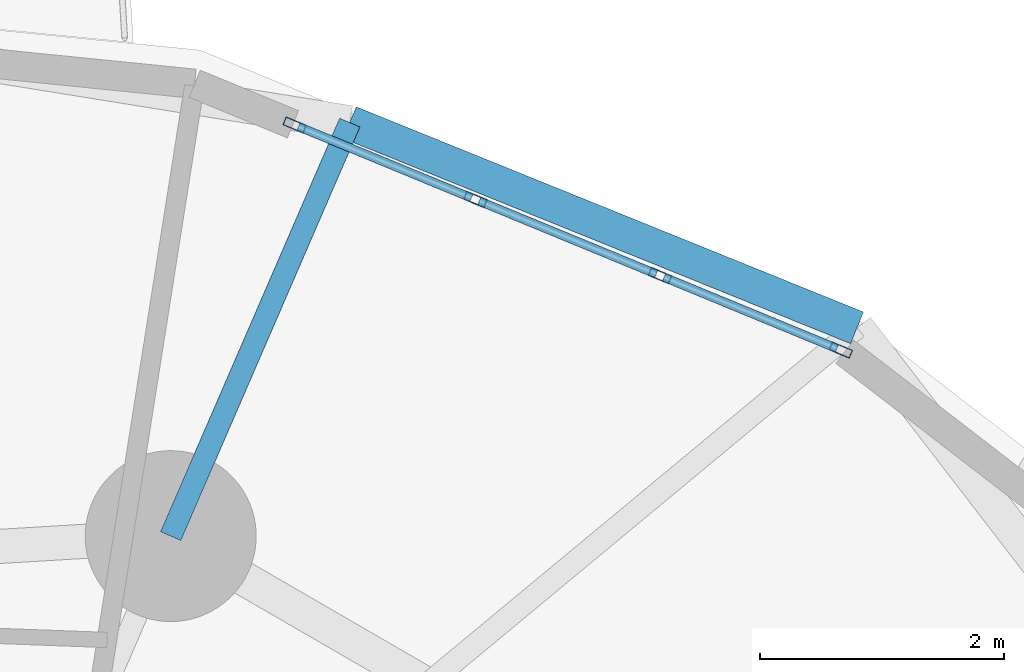
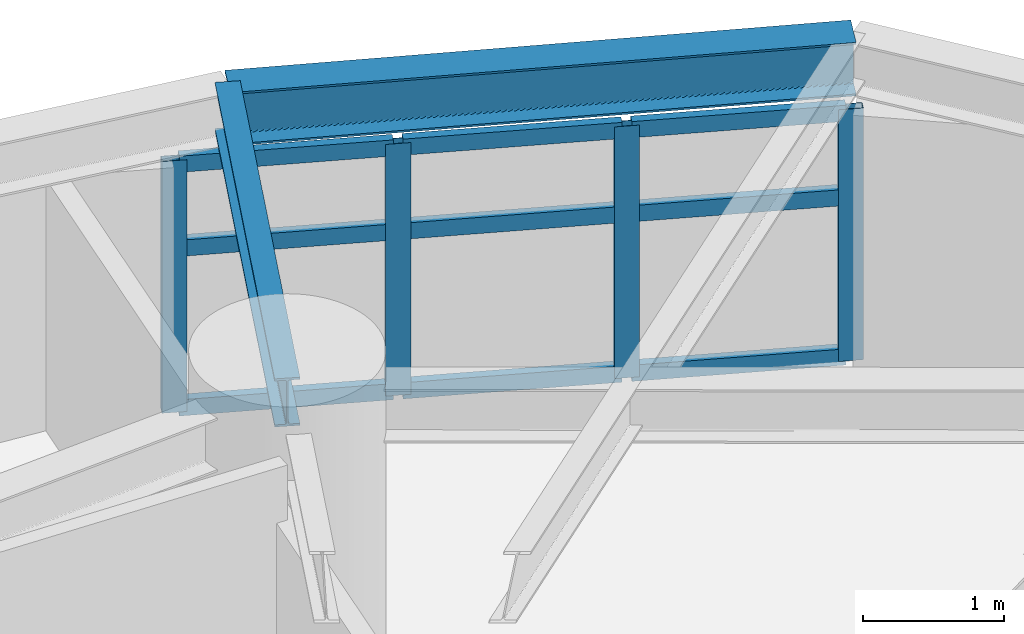
# One storey, part 6 of 18: 13 members, 2 beams, 1 element without a shape of its own.
"""IFC4 building model written with IfcOpenShell, lengths in metres."""

import ifcopenshell
import ifcopenshell.guid

model = None  # the IFC model being written
_history = None  # IfcOwnerHistory: only IFC2X3 demands one
_inside = {}  # id of a spatial element -> (the spatial element, [elements in it])
_under = {}  # id of a project, library or spatial element -> (it, [spatial elements below it])
_declared = {}  # id of a project -> (the project, [libraries it declares])
_typed = {}  # id of a type object -> (the type object, [elements of that type])
_made_of = {}  # id of a material, layer set ... -> (it, [elements and type objects made of it])


def new_model(schema):
    """Start an empty IFC model of exactly this schema.

    Asked for "IFC4X3", IfcOpenShell would pick the latest addendum, in which some entities
    have other attributes; the version numbers below select the first issue.
    IFC2X3 requires an IfcOwnerHistory on every rooted entity: one is made here for all.
    """
    global model, _history
    if schema == "IFC4X3":
        model = ifcopenshell.file(schema_version=(4, 3, 0, 0))
    else:
        model = ifcopenshell.file(schema=schema)
    _inside.clear()
    _under.clear()
    _declared.clear()
    _typed.clear()
    _made_of.clear()
    _history = None
    if model.schema == "IFC2X3":
        org = make("IfcOrganization", Name="unknown")
        user = make(
            "IfcPersonAndOrganization",
            ThePerson=make("IfcPerson", FamilyName="unknown"),
            TheOrganization=org,
        )
        app = make(
            "IfcApplication",
            ApplicationDeveloper=org,
            Version="unknown",
            ApplicationFullName="unknown",
            ApplicationIdentifier="unknown",
        )
        _history = make(
            "IfcOwnerHistory",
            OwningUser=user,
            OwningApplication=app,
            ChangeAction="ADDED",
            CreationDate=0,
        )
    return model


def make(cls, **values):
    """One entity of the class cls with the attributes given. An attribute that is None is left unset."""
    return model.create_entity(
        cls, **{name: value for name, value in values.items() if value is not None}
    )


def rooted(cls, **values):
    """An entity with a GlobalId (a new one), such as an element, a storey or a relation."""
    return make(cls, GlobalId=ifcopenshell.guid.new(), OwnerHistory=_history, **values)


def si_unit(unit_type, name, prefix=None):
    """IfcSIUnit, for example si_unit("LENGTHUNIT", "METRE", prefix="MILLI")."""
    return make("IfcSIUnit", UnitType=unit_type, Prefix=prefix, Name=name)


def assignment(units):
    """IfcUnitAssignment: the units of a project."""
    return None if units is None else make("IfcUnitAssignment", Units=units)


def point(xyz):
    """IfcCartesianPoint."""
    return None if xyz is None else make("IfcCartesianPoint", Coordinates=xyz)


def direction(xyz):
    """IfcDirection."""
    return None if xyz is None else make("IfcDirection", DirectionRatios=xyz)


def frame(location, z_axis=None, x_axis=None):
    """IfcAxis2Placement3D, a coordinate frame: its origin and axes. An axis left out is left unset."""
    return make(
        "IfcAxis2Placement3D",
        Location=point(location),
        Axis=direction(z_axis),
        RefDirection=direction(x_axis),
    )


def frame_2d(location, x_axis=None):
    """IfcAxis2Placement2D, a coordinate frame in the plane: its origin and x axis."""
    return make(
        "IfcAxis2Placement2D", Location=point(location), RefDirection=direction(x_axis)
    )


def origin():
    """The frame at (0, 0, 0) with its axes left unset."""
    return frame((0.0, 0.0, 0.0))


def origin_2d():
    """The frame at (0, 0) in the plane with its x axis left unset."""
    return frame_2d((0.0, 0.0))


def place(relative_to, where):
    """IfcLocalPlacement: puts the frame where relative to a parent placement (None: the world)."""
    return make(
        "IfcLocalPlacement", PlacementRelTo=relative_to, RelativePlacement=where
    )


def context(
    kind, dimensions, precision=None, world=None, true_north=None, identifier=None
):
    """IfcGeometricRepresentationContext, for example the 3D "Model" context."""
    return make(
        "IfcGeometricRepresentationContext",
        ContextIdentifier=identifier,
        ContextType=kind,
        CoordinateSpaceDimension=dimensions,
        Precision=precision,
        WorldCoordinateSystem=world,
        TrueNorth=true_north,
    )


def subcontext(parent, identifier, kind, view, scale=None):
    """IfcGeometricRepresentationSubContext, for example "Body" below "Model"."""
    return make(
        "IfcGeometricRepresentationSubContext",
        ContextIdentifier=identifier,
        ContextType=kind,
        ParentContext=parent,
        TargetScale=scale,
        TargetView=view,
    )


def project(units=None, contexts=None):
    """IfcProject with its units and contexts."""
    return rooted(
        "IfcProject",
        Name="project",
        RepresentationContexts=contexts,
        UnitsInContext=assignment(units),
    )


def spatial(cls, under=None, at=None, **own):
    """A site, building, storey or space (cls), placed at a placement, below another one or the project."""
    s = rooted(cls, ObjectPlacement=at, **own)
    if under is not None:
        _under.setdefault(under.id(), (under, []))[1].append(s)
    return s


def profile(cls, at=None, kind="AREA", **sizes):
    """A parametric profile (cls). Its sizes go by their IFC names, for example OverallWidth=200.0."""
    return make(cls, ProfileType=kind, Position=at, **sizes)


def hollow_rectangle(**sizes):
    """IfcRectangleHollowProfileDef."""
    return profile("IfcRectangleHollowProfileDef", **sizes)


def i_section(**sizes):
    """IfcIShapeProfileDef."""
    return profile("IfcIShapeProfileDef", **sizes)


def extrude(swept, where, along, depth):
    """IfcExtrudedAreaSolid: the profile swept, set in the frame where, extruded along a direction by depth."""
    return make(
        "IfcExtrudedAreaSolid",
        SweptArea=swept,
        Position=where,
        ExtrudedDirection=direction(along),
        Depth=depth,
    )


def shape(context_of_items, identifier, shape_type, items):
    """IfcShapeRepresentation: the items that make up one representation, for example the "Body"."""
    return make(
        "IfcShapeRepresentation",
        ContextOfItems=context_of_items,
        RepresentationIdentifier=identifier,
        RepresentationType=shape_type,
        Items=items,
    )


def material(Name=None, Category=None):
    """IfcMaterial."""
    return make("IfcMaterial", Name=Name, Category=Category)


def layer(
    of_material, thickness, ventilated=None, Name=None, Category=None, Priority=None
):
    """IfcMaterialLayer: one layer of a wall or slab, of a material (None: an air gap)."""
    return make(
        "IfcMaterialLayer",
        Material=of_material,
        LayerThickness=thickness,
        IsVentilated=ventilated,
        Name=Name,
        Category=Category,
        Priority=Priority,
    )


def layer_set(layers, Name=None):
    """IfcMaterialLayerSet."""
    return make("IfcMaterialLayerSet", MaterialLayers=layers, LayerSetName=Name)


def material_profile(
    of_material, cross_section, Name=None, Category=None, Priority=None
):
    """IfcMaterialProfile: a cross section and its material."""
    return make(
        "IfcMaterialProfile",
        Name=Name,
        Material=of_material,
        Profile=cross_section,
        Priority=Priority,
        Category=Category,
    )


def profile_set(profiles, Name=None, composite=None):
    """IfcMaterialProfileSet."""
    return make(
        "IfcMaterialProfileSet",
        Name=Name,
        MaterialProfiles=profiles,
        CompositeProfile=composite,
    )


def made_of(thing, what):
    """Note that an element or type object is made of a material, layer set ...; save() writes the relation."""
    if what is not None:
        _made_of.setdefault(what.id(), (what, []))[1].append(thing)
    return thing


def type_object(cls, material=None, **own):
    """A type object (cls), such as IfcWallType, which elements share."""
    return made_of(rooted(cls, **own), material)


def element(
    cls,
    number,
    at=None,
    inside=None,
    cuts=None,
    type_object=None,
    material=None,
    context=None,
    identifier="Body",
    shape_type=None,
    held_by="IfcProductDefinitionShape",
    body=None,
    shapes=None,
    **own,
):
    """One element of the class cls, such as IfcWall. Its Tag is "e" and its number.

    at: its placement. inside: the storey or other place that contains it. cuts: it is an
    opening in that element (IfcRelVoidsElement). A single representation is given by context,
    identifier, shape_type and body (its items); several are given by shapes. held_by: the class
    of the entity that holds the representations. save() writes the other relations.
    """
    e = rooted(cls, Tag="e%d" % number, ObjectPlacement=at, **own)
    if body is not None:
        shapes = [shape(context, identifier, shape_type, body)]
    if shapes is not None:
        e.Representation = make(held_by, Representations=shapes)
    if inside is not None:
        _inside.setdefault(inside.id(), (inside, []))[1].append(e)
    if cuts is not None:
        rooted(
            "IfcRelVoidsElement", RelatingBuildingElement=cuts, RelatedOpeningElement=e
        )
    if type_object is not None:
        _typed.setdefault(type_object.id(), (type_object, []))[1].append(e)
    return made_of(e, material)


def aggregate(whole, parts):
    """IfcRelAggregates: a whole, such as a stair, and the parts it consists of."""
    return rooted("IfcRelAggregates", RelatingObject=whole, RelatedObjects=parts)


def save(model, path):
    """Write the relations noted so far, then the file.

    IfcRelAggregates (storeys below a building ...), IfcRelContainedInSpatialStructure (elements
    in a storey), IfcRelDefinesByType, IfcRelAssociatesMaterial and IfcRelDeclares: one each for
    every whole, place, type object, material and project.
    """
    for whole, parts in _under.values():
        aggregate(whole, parts)
    for where, things in _inside.values():
        rooted(
            "IfcRelContainedInSpatialStructure",
            RelatedElements=things,
            RelatingStructure=where,
        )
    for kind, things in _typed.values():
        rooted("IfcRelDefinesByType", RelatedObjects=things, RelatingType=kind)
    for what, things in _made_of.values():
        rooted("IfcRelAssociatesMaterial", RelatedObjects=things, RelatingMaterial=what)
    for by, libraries in _declared.values():
        rooted("IfcRelDeclares", RelatingContext=by, RelatedDefinitions=libraries)
    model.write(path)


model = new_model("IFC4")

# Units and contexts
model_context = context("Model", 3, precision=1e-05, world=origin(), true_north=direction((0.0, 1.0)))
body_context = subcontext(model_context, "Body", "Model", "MODEL_VIEW")
ifc_project = project(units=[si_unit("LENGTHUNIT", "METRE"), si_unit("AREAUNIT", "SQUARE_METRE"), si_unit("VOLUMEUNIT", "CUBIC_METRE"), si_unit("PLANEANGLEUNIT", "RADIAN"), si_unit("MASSUNIT", "GRAM", prefix="KILO")], contexts=[model_context])

# Site, building, storey
site_placement = place(None, origin())
site = spatial("IfcSite", under=ifc_project, at=site_placement, CompositionType="ELEMENT")
building_placement = place(site_placement, origin())
building = spatial("IfcBuilding", under=site, at=building_placement, Name="Cununo Teusaquillo Station Towers", CompositionType="ELEMENT")
storey_placement = place(building_placement, frame((0.0, 0.0, 87.610107421875)))
storey = spatial("IfcBuildingStorey", under=building, at=storey_placement, Name="L27", CompositionType="ELEMENT", Elevation=87.610107421875)

# Beams
ifc_material_1 = material(Name="Steel ASTM A572 Grade 50", Category="steel")
ifc_material_profile_1 = material_profile(ifc_material_1, i_section(OverallWidth=0.180908203125, OverallDepth=0.4169921875, WebThickness=0.010986328125, FlangeThickness=0.018310546875, FilletRadius=0.012939453125, at=origin_2d()), Name="W16X57")
ifc_profile_set_1 = profile_set([ifc_material_profile_1], Name="Steel ASTM A572 Grade 50")
beam_type_1 = type_object("IfcBeamType", Name="BM-RAD-G2", PredefinedType="BEAM", material=ifc_profile_set_1)
beam_1_placement = place(storey_placement, frame((58.291015625, 37.63525390625, 2.46142578125), z_axis=(0.397421761279, 0.917636062751, 0.0), x_axis=(-0.917636062751, 0.397421761279, 0.0)))
element("IfcBeam", 1, at=beam_1_placement, inside=storey, type_object=beam_type_1, Name="L27 Tower B Perimeter Overhang Girder 02B", PredefinedType="BEAM", context=body_context, shape_type="SweptSolid", body=[
    extrude(i_section(OverallWidth=0.180908203125, OverallDepth=0.4169921875, WebThickness=0.010986328125, FlangeThickness=0.018310546875, FilletRadius=0.012939453125, at=origin_2d()), origin(), (0.0, 0.0, 1.0), 3.690185546875),
])
ifc_material_2 = material(Name="Steel ASTM A572 Grade 50", Category="steel")
ifc_material_profile_2 = material_profile(ifc_material_2, i_section(OverallWidth=0.280029296875, OverallDepth=0.462890625, WebThickness=0.0107421875, FlangeThickness=0.017333984375, FilletRadius=0.013916015625, at=origin_2d()), Name="W18X76")
ifc_profile_set_2 = profile_set([ifc_material_profile_2], Name="Steel ASTM A572 Grade 50")
beam_type_2 = type_object("IfcBeamType", Name="BM-RING-Z2", PredefinedType="SPANDREL", material=ifc_profile_set_2)
beam_2_placement = place(storey_placement, frame((63.9111328125, 39.341064453125, 2.4384765625), z_axis=(-0.927007712072, 0.375042266631, 0.0), x_axis=(-0.375042266631, -0.927007712072, 0.0)))
element("IfcBeam", 2, at=beam_2_placement, inside=storey, type_object=beam_type_2, Name="L27 Tower B Spandrel Ring Beam 02", PredefinedType="SPANDREL", context=body_context, shape_type="SweptSolid", body=[
    extrude(i_section(OverallWidth=0.280029296875, OverallDepth=0.462890625, WebThickness=0.0107421875, FlangeThickness=0.017333984375, FilletRadius=0.013916015625, at=origin_2d()), origin(), (0.0, 0.0, 1.0), 4.480712890625),
])

# Curtain wall, members
ifc_material_3 = material(Name="Ceramic-fritted dark low-E double glazing", Category="glass")
ifc_layer = layer(ifc_material_3, 0.179931640625)
ifc_layer_set = layer_set([ifc_layer], Name="Ceramic-fritted dark low-E double glazing")
curtain_wall_type = type_object("IfcCurtainWallType", Name="CW-SYS-04", PredefinedType="USERDEFINED", material=ifc_layer_set)
curtain_wall_placement = place(storey_placement, origin())
curtain_wall = element("IfcCurtainWall", 3, at=curtain_wall_placement, inside=storey, type_object=curtain_wall_type, Name="L27 Tower B Facade Curtain Wall C01", ObjectType="FRITTED GLAZING", PredefinedType="USERDEFINED")
ifc_material_4 = material(Name="Anodised dark bronze aluminium EN AW-6063-T6", Category="aluminium")
ifc_material_profile_3 = material_profile(ifc_material_4, hollow_rectangle(XDim=0.070068359375, YDim=0.179931640625, WallThickness=0.00390625, at=origin_2d()), Name="CW-MULL-70x180")
ifc_profile_set_3 = profile_set([ifc_material_profile_3], Name="Anodised dark bronze aluminium EN AW-6063-T6")
member_type_1 = type_object("IfcMemberType", Name="CWM-180", PredefinedType="MULLION", material=ifc_profile_set_3)
member_1_placement = place(storey_placement, frame((59.3056640625, 41.001953125, 0.0), z_axis=(0.0, 0.0, 1.0), x_axis=(0.381030560176, 0.924562443652, 0.0)))
member_1 = element("IfcMember", 4, at=member_1_placement, type_object=member_type_1, Name="CW-04 mullion 1", PredefinedType="MULLION", context=body_context, shape_type="SweptSolid", body=[
    extrude(hollow_rectangle(XDim=0.070068359375, YDim=0.179931640625, WallThickness=0.00390625, at=origin_2d()), origin(), (0.0, 0.0, 1.0), 2.178955078125),
])
member_2_placement = place(storey_placement, frame((60.785888671875, 40.39208984375, 0.0), z_axis=(0.0, 0.0, 1.0), x_axis=(0.381030560176, 0.924562443652, 0.0)))
member_2 = element("IfcMember", 5, at=member_2_placement, type_object=member_type_1, Name="CW-04 mullion 2", PredefinedType="MULLION", context=body_context, shape_type="SweptSolid", body=[
    extrude(hollow_rectangle(XDim=0.070068359375, YDim=0.179931640625, WallThickness=0.00390625, at=origin_2d()), origin(), (0.0, 0.0, 1.0), 2.178955078125),
])
member_3_placement = place(storey_placement, frame((62.298583984375, 39.7685546875, 0.0), z_axis=(0.0, 0.0, 1.0), x_axis=(0.381030560176, 0.924562443652, 0.0)))
member_3 = element("IfcMember", 6, at=member_3_placement, type_object=member_type_1, Name="CW-04 mullion 3", PredefinedType="MULLION", context=body_context, shape_type="SweptSolid", body=[
    extrude(hollow_rectangle(XDim=0.070068359375, YDim=0.179931640625, WallThickness=0.00390625, at=origin_2d()), origin(), (0.0, 0.0, 1.0), 2.178955078125),
])
member_4_placement = place(storey_placement, frame((63.77880859375, 39.158447265625, 0.0), z_axis=(0.0, 0.0, 1.0), x_axis=(0.381030560176, 0.924562443652, 0.0)))
member_4 = element("IfcMember", 7, at=member_4_placement, type_object=member_type_1, Name="CW-04 mullion 4", PredefinedType="MULLION", context=body_context, shape_type="SweptSolid", body=[
    extrude(hollow_rectangle(XDim=0.070068359375, YDim=0.179931640625, WallThickness=0.00390625, at=origin_2d()), origin(), (0.0, 0.0, 1.0), 2.178955078125),
])
ifc_material_5 = material(Name="Anodised dark bronze aluminium EN AW-6063-T6", Category="aluminium")
ifc_material_profile_4 = material_profile(ifc_material_5, hollow_rectangle(XDim=0.070068359375, YDim=0.139892578125, WallThickness=0.00390625, at=origin_2d()), Name="CW-TRAN-70x140")
ifc_profile_set_4 = profile_set([ifc_material_profile_4], Name="Anodised dark bronze aluminium EN AW-6063-T6")
member_type_2 = type_object("IfcMemberType", Name="CWT-140", PredefinedType="USERDEFINED", material=ifc_profile_set_4)
member_5_placement = place(storey_placement, frame((59.337890625, 40.98876953125, 0.034912109375), z_axis=(0.924532726965, -0.381102659097, 0.0), x_axis=(0.381102659097, 0.924532726965, 0.0)))
member_5 = element("IfcMember", 8, at=member_5_placement, type_object=member_type_2, Name="CW-04 transom 1.1", ObjectType="TRANSOM", PredefinedType="USERDEFINED", context=body_context, shape_type="SweptSolid", body=[
    extrude(hollow_rectangle(XDim=0.070068359375, YDim=0.139892578125, WallThickness=0.00390625, at=origin_2d()), origin(), (0.0, 0.0, 1.0), 1.531005859375),
])
member_6_placement = place(storey_placement, frame((59.337890625, 40.98876953125, 1.415771484375), z_axis=(0.924532726965, -0.381102659097, 0.0), x_axis=(0.381102659097, 0.924532726965, 0.0)))
member_6 = element("IfcMember", 9, at=member_6_placement, type_object=member_type_2, Name="CW-04 transom 1.2", ObjectType="TRANSOM", PredefinedType="USERDEFINED", context=body_context, shape_type="SweptSolid", body=[
    extrude(hollow_rectangle(XDim=0.070068359375, YDim=0.139892578125, WallThickness=0.00390625, at=origin_2d()), origin(), (0.0, 0.0, 1.0), 1.531005859375),
])
member_7_placement = place(storey_placement, frame((59.337890625, 40.98876953125, 2.143798828125), z_axis=(0.924532726965, -0.381102659097, 0.0), x_axis=(0.381102659097, 0.924532726965, 0.0)))
member_7 = element("IfcMember", 10, at=member_7_placement, type_object=member_type_2, Name="CW-04 transom 1.3", ObjectType="TRANSOM", PredefinedType="USERDEFINED", context=body_context, shape_type="SweptSolid", body=[
    extrude(hollow_rectangle(XDim=0.070068359375, YDim=0.139892578125, WallThickness=0.00390625, at=origin_2d()), origin(), (0.0, 0.0, 1.0), 1.531005859375),
])
member_8_placement = place(storey_placement, frame((60.818115234375, 40.378662109375, 0.034912109375), z_axis=(0.924577983912, -0.380992849887, 0.0), x_axis=(0.380992849887, 0.924577983912, 0.0)))
member_8 = element("IfcMember", 11, at=member_8_placement, type_object=member_type_2, Name="CW-04 transom 2.1", ObjectType="TRANSOM", PredefinedType="USERDEFINED", context=body_context, shape_type="SweptSolid", body=[
    extrude(hollow_rectangle(XDim=0.070068359375, YDim=0.139892578125, WallThickness=0.00390625, at=origin_2d()), origin(), (0.0, 0.0, 1.0), 1.566162109375),
])
member_9_placement = place(storey_placement, frame((60.818115234375, 40.378662109375, 1.415771484375), z_axis=(0.924577983912, -0.380992849887, 0.0), x_axis=(0.380992849887, 0.924577983912, 0.0)))
member_9 = element("IfcMember", 12, at=member_9_placement, type_object=member_type_2, Name="CW-04 transom 2.2", ObjectType="TRANSOM", PredefinedType="USERDEFINED", context=body_context, shape_type="SweptSolid", body=[
    extrude(hollow_rectangle(XDim=0.070068359375, YDim=0.139892578125, WallThickness=0.00390625, at=origin_2d()), origin(), (0.0, 0.0, 1.0), 1.566162109375),
])
member_10_placement = place(storey_placement, frame((60.818115234375, 40.378662109375, 2.143798828125), z_axis=(0.924577983912, -0.380992849887, 0.0), x_axis=(0.380992849887, 0.924577983912, 0.0)))
member_10 = element("IfcMember", 13, at=member_10_placement, type_object=member_type_2, Name="CW-04 transom 2.3", ObjectType="TRANSOM", PredefinedType="USERDEFINED", context=body_context, shape_type="SweptSolid", body=[
    extrude(hollow_rectangle(XDim=0.070068359375, YDim=0.139892578125, WallThickness=0.00390625, at=origin_2d()), origin(), (0.0, 0.0, 1.0), 1.566162109375),
])
member_11_placement = place(storey_placement, frame((62.330810546875, 39.75537109375, 0.034912109375), z_axis=(0.924555881283, -0.381046483233, 0.0), x_axis=(0.381046483233, 0.924555881283, 0.0)))
member_11 = element("IfcMember", 14, at=member_11_placement, type_object=member_type_2, Name="CW-04 transom 3.1", ObjectType="TRANSOM", PredefinedType="USERDEFINED", context=body_context, shape_type="SweptSolid", body=[
    extrude(hollow_rectangle(XDim=0.070068359375, YDim=0.139892578125, WallThickness=0.00390625, at=origin_2d()), origin(), (0.0, 0.0, 1.0), 1.53125),
])
member_12_placement = place(storey_placement, frame((62.330810546875, 39.75537109375, 1.415771484375), z_axis=(0.924555881283, -0.381046483233, 0.0), x_axis=(0.381046483233, 0.924555881283, 0.0)))
member_12 = element("IfcMember", 15, at=member_12_placement, type_object=member_type_2, Name="CW-04 transom 3.2", ObjectType="TRANSOM", PredefinedType="USERDEFINED", context=body_context, shape_type="SweptSolid", body=[
    extrude(hollow_rectangle(XDim=0.070068359375, YDim=0.139892578125, WallThickness=0.00390625, at=origin_2d()), origin(), (0.0, 0.0, 1.0), 1.53125),
])
member_13_placement = place(storey_placement, frame((62.330810546875, 39.75537109375, 2.143798828125), z_axis=(0.924555881283, -0.381046483233, 0.0), x_axis=(0.381046483233, 0.924555881283, 0.0)))
member_13 = element("IfcMember", 16, at=member_13_placement, type_object=member_type_2, Name="CW-04 transom 3.3", ObjectType="TRANSOM", PredefinedType="USERDEFINED", context=body_context, shape_type="SweptSolid", body=[
    extrude(hollow_rectangle(XDim=0.070068359375, YDim=0.139892578125, WallThickness=0.00390625, at=origin_2d()), origin(), (0.0, 0.0, 1.0), 1.53125),
])
aggregate(curtain_wall, [member_1, member_2, member_3, member_4, member_5, member_6, member_7, member_8, member_9, member_10, member_11, member_12, member_13])

save(model, "model.ifc")
